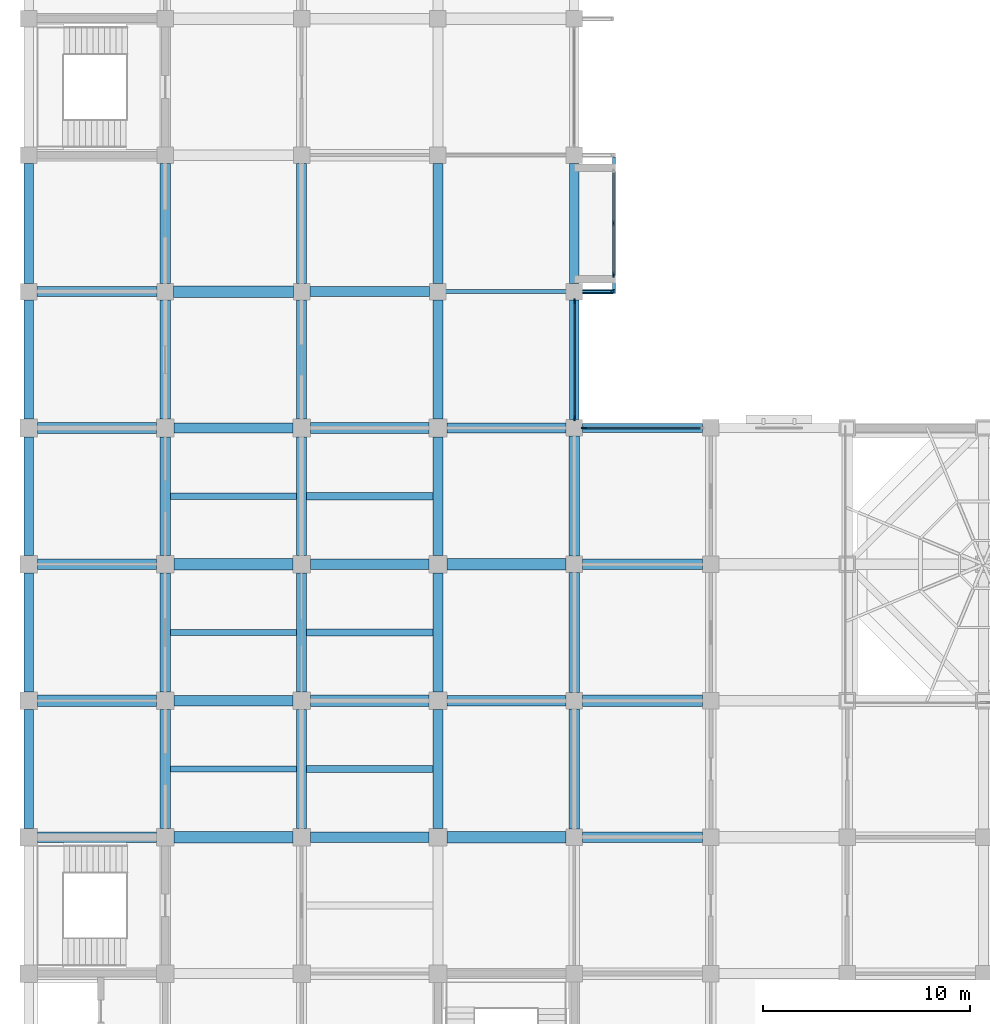
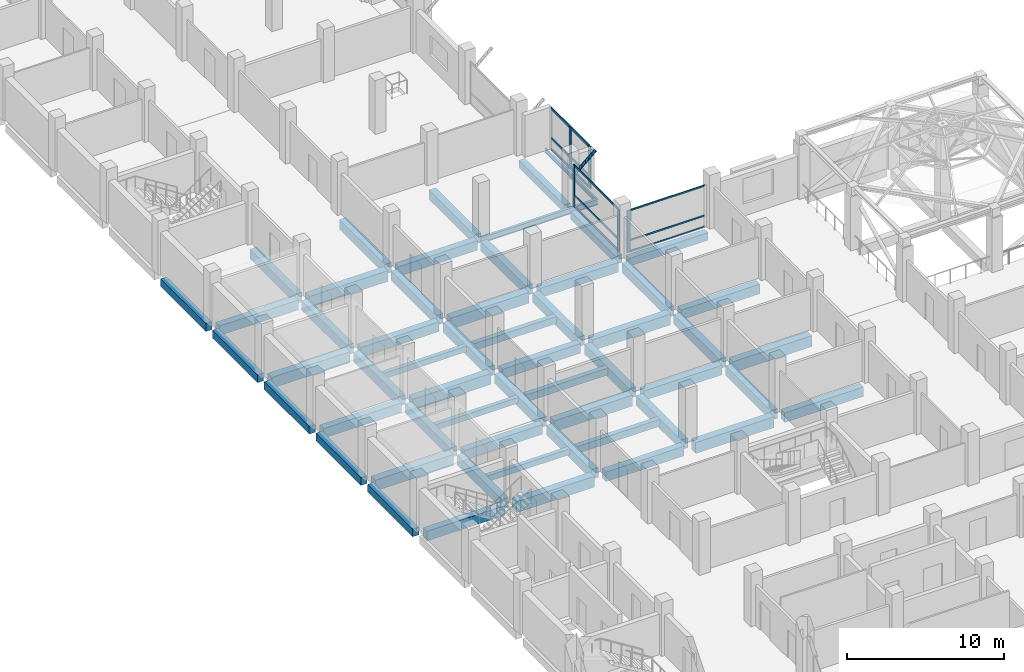
# One storey, part 5 of 25: 56 beams, 18 members, 3 elements without a shape of their own.
"""IFC4 building model written with IfcOpenShell, lengths in metres."""

from ifc_helpers import new_model, si_unit, direction, frame, origin, origin_2d, place, context, subcontext, project, spatial, rectangle, hollow_circle, i_section, extrude, material, material_profile, profile_set, type_object, element, aggregate, save


model = new_model("IFC4")

# Units and contexts
model_context = context("Model", 3, precision=1e-05, world=origin(), true_north=direction((0.0, 1.0)))
body_context = subcontext(model_context, "Body", "Model", "MODEL_VIEW")
ifc_project = project(units=[si_unit("LENGTHUNIT", "METRE"), si_unit("AREAUNIT", "SQUARE_METRE"), si_unit("VOLUMEUNIT", "CUBIC_METRE"), si_unit("PLANEANGLEUNIT", "RADIAN"), si_unit("MASSUNIT", "GRAM", prefix="KILO")], contexts=[model_context])

# Site, building, storey
site_placement = place(None, origin())
site = spatial("IfcSite", under=ifc_project, at=site_placement, CompositionType="ELEMENT")
building_placement = place(site_placement, origin())
building = spatial("IfcBuilding", under=site, at=building_placement, Name="Rusizi Kubbe Research Institute", CompositionType="ELEMENT")
storey_placement = place(building_placement, frame((0.0, 0.0, 14.39990234375)))
storey = spatial("IfcBuildingStorey", under=building, at=storey_placement, Name="L03", CompositionType="ELEMENT", Elevation=14.39990234375)

# Beams
ifc_material_1 = material(Name="Steel S355", Category="steel")
ifc_material_profile_1 = material_profile(ifc_material_1, i_section(OverallWidth=0.14990234375, OverallDepth=0.300048828125, WebThickness=0.007080078125, FlangeThickness=0.0107421875, at=origin_2d()), Name="IPE 300")
ifc_profile_set_1 = profile_set([ifc_material_profile_1], Name="Steel S355")
beam_type_1 = type_object("IfcBeamType", Name="BM-IPE300", PredefinedType="BEAM", material=ifc_profile_set_1)
beam_1_placement = place(storey_placement, frame((28.324951171875, 59.4951171875, -0.5), z_axis=(0.0, 1.0, 0.0), x_axis=(-1.0, 0.0, 0.0)))
element("IfcBeam", 1, at=beam_1_placement, inside=storey, type_object=beam_type_1, Name="Cumba Edge Tie Beam L03-1", PredefinedType="BEAM", context=body_context, shape_type="SweptSolid", body=[
    extrude(i_section(OverallWidth=0.14990234375, OverallDepth=0.300048828125, WebThickness=0.007080078125, FlangeThickness=0.0107421875, at=origin_2d()), origin(), (0.0, 0.0, 1.0), 6.409912109375),
])
ifc_material_2 = material(Name="Steel S355", Category="steel")
ifc_material_profile_2 = material_profile(ifc_material_2, i_section(OverallWidth=0.18994140625, OverallDepth=0.449951171875, WebThickness=0.009521484375, FlangeThickness=0.0146484375, at=origin_2d()), Name="IPE 450")
ifc_profile_set_2 = profile_set([ifc_material_profile_2], Name="Steel S355")
beam_type_2 = type_object("IfcBeamType", Name="BM-IPE450", PredefinedType="BEAM", material=ifc_profile_set_2)
beam_2_placement = place(storey_placement, frame((19.800048828125, 59.39990234375, -0.574951171875), z_axis=(1.0, 0.0, 0.0), x_axis=(0.0, 1.0, 0.0)))
element("IfcBeam", 2, at=beam_2_placement, inside=storey, type_object=beam_type_2, Name="Cumba Back-Spanned Cantilever Beam L03-1S", PredefinedType="BEAM", context=body_context, shape_type="SweptSolid", body=[
    extrude(i_section(OverallWidth=0.18994140625, OverallDepth=0.449951171875, WebThickness=0.009521484375, FlangeThickness=0.0146484375, at=origin_2d()), origin(), (0.0, 0.0, 1.0), 8.599853515625),
])
ifc_material_3 = material(Name="Concrete C40/50", Category="concrete")
ifc_material_profile_3 = material_profile(ifc_material_3, rectangle(XDim=0.300048828125, YDim=0.449951171875, at=origin_2d()), Name="RC300x450")
ifc_profile_set_3 = profile_set([ifc_material_profile_3], Name="Concrete C40/50")
beam_type_3 = type_object("IfcBeamType", Name="BM-RC300x450", PredefinedType="LINTEL", material=ifc_profile_set_3)
for number, where, z_axis, x_axis, name in (
    (3, (6.85009765625, 36.300048828125, -0.574951171875), (1.0, 0.0, 0.0), (0.0, 1.0, 0.0), "Corridor Portal Lintel Beam L03-05"),
    (4, (6.85009765625, 42.89990234375, -0.574951171875), (1.0, 0.0, 0.0), (0.0, 1.0, 0.0), "Corridor Portal Lintel Beam L03-06"),
    (5, (6.85009765625, 49.5, -0.574951171875), (1.0, 0.0, 0.0), (0.0, 1.0, 0.0), "Corridor Portal Lintel Beam L03-07"),
):
    element("IfcBeam", number, at=place(storey_placement, frame(where, z_axis=z_axis, x_axis=x_axis)), inside=storey, type_object=beam_type_3, Name=name, PredefinedType="LINTEL", context=body_context, shape_type="SweptSolid", body=[
        extrude(rectangle(XDim=0.300048828125, YDim=0.449951171875, at=origin_2d()), origin(), (0.0, 0.0, 1.0), 6.099853515625),
    ])
ifc_material_4 = material(Name="Concrete C40/50", Category="concrete")
ifc_material_profile_4 = material_profile(ifc_material_4, rectangle(XDim=0.35009765625, YDim=0.550048828125, at=origin_2d()), Name="RC350x550")
ifc_profile_set_4 = profile_set([ifc_material_profile_4], Name="Concrete C40/50")
beam_type_4 = type_object("IfcBeamType", Name="BM-RC350x550", PredefinedType="JOIST", material=ifc_profile_set_4)
for number, where, z_axis, x_axis, name in (
    (6, (13.449951171875, 36.300048828125, -0.625), (1.0, 0.0, 0.0), (0.0, 1.0, 0.0), "Lab Stiffener Joist L03 (2,5)"),
    (7, (13.449951171875, 42.89990234375, -0.625), (1.0, 0.0, 0.0), (0.0, 1.0, 0.0), "Lab Stiffener Joist L03 (2,6)"),
    (8, (13.449951171875, 49.5, -0.625), (1.0, 0.0, 0.0), (0.0, 1.0, 0.0), "Lab Stiffener Joist L03 (2,7)"),
):
    element("IfcBeam", number, at=place(storey_placement, frame(where, z_axis=z_axis, x_axis=x_axis)), inside=storey, type_object=beam_type_4, Name=name, PredefinedType="JOIST", context=body_context, shape_type="SweptSolid", body=[
        extrude(rectangle(XDim=0.35009765625, YDim=0.550048828125, at=origin_2d()), origin(), (0.0, 0.0, 1.0), 6.10009765625),
    ])
ifc_material_5 = material(Name="Concrete C40/50", Category="concrete")
ifc_material_profile_5 = material_profile(ifc_material_5, rectangle(XDim=0.449951171875, YDim=0.60009765625, at=origin_2d()), Name="RC450x600")
ifc_profile_set_5 = profile_set([ifc_material_profile_5], Name="Concrete C40/50")
beam_type_5 = type_object("IfcBeamType", Name="BM-RC450x600", PredefinedType="SPANDREL", material=ifc_profile_set_5)
beam_3_placement = place(storey_placement, frame((26.800048828125, 52.800048828125, -0.64990234375), z_axis=(1.0, 0.0, 0.0), x_axis=(0.0, 1.0, 0.0)))
element("IfcBeam", 9, at=beam_3_placement, inside=storey, type_object=beam_type_5, Name="Grid Beam H L03 (4,8)", PredefinedType="SPANDREL", context=body_context, shape_type="SweptSolid", body=[
    extrude(rectangle(XDim=0.449951171875, YDim=0.60009765625, at=origin_2d()), origin(), (0.0, 0.0, 1.0), 5.800048828125),
])
for number, where, z_axis, x_axis, name in (
    (10, (0.0, 33.425048828125, -0.64990234375), (0.0, 1.0, 0.0), (-1.0, 0.0, 0.0), "Grid Beam V L03 (0,5)"),
    (11, (0.0, 40.02490234375, -0.64990234375), (0.0, 1.0, 0.0), (-1.0, 0.0, 0.0), "Grid Beam V L03 (0,6)"),
    (12, (0.0, 46.625, -0.64990234375), (0.0, 1.0, 0.0), (-1.0, 0.0, 0.0), "Grid Beam V L03 (0,7)"),
):
    element("IfcBeam", number, at=place(storey_placement, frame(where, z_axis=z_axis, x_axis=x_axis)), inside=storey, type_object=beam_type_5, Name=name, PredefinedType="SPANDREL", context=body_context, shape_type="SweptSolid", body=[
        extrude(rectangle(XDim=0.449951171875, YDim=0.60009765625, at=origin_2d()), origin(), (0.0, 0.0, 1.0), 5.75),
    ])
beam_4_placement = place(storey_placement, frame((0.0, 53.22509765625, -0.64990234375), z_axis=(0.0, 1.0, 0.0), x_axis=(-1.0, 0.0, 0.0)))
element("IfcBeam", 13, at=beam_4_placement, inside=storey, type_object=beam_type_5, Name="Grid Beam V L03 (0,8)", PredefinedType="SPANDREL", context=body_context, shape_type="SweptSolid", body=[
    extrude(rectangle(XDim=0.449951171875, YDim=0.60009765625, at=origin_2d()), origin(), (0.0, 0.0, 1.0), 5.77490234375),
])
for number, where, z_axis, x_axis, name in (
    (14, (0.0, 59.800048828125, -0.64990234375), (0.0, 1.0, 0.0), (-1.0, 0.0, 0.0), "Grid Beam V L03 (0,9)"),
    (15, (26.39990234375, 53.199951171875, -0.64990234375), (0.0, 1.0, 0.0), (-1.0, 0.0, 0.0), "Grid Beam V L03 (4,8)"),
    (16, (26.39990234375, 59.800048828125, -0.64990234375), (0.0, 1.0, 0.0), (-1.0, 0.0, 0.0), "Grid Beam V L03 (4,9)"),
):
    element("IfcBeam", number, at=place(storey_placement, frame(where, z_axis=z_axis, x_axis=x_axis)), inside=storey, type_object=beam_type_5, Name=name, PredefinedType="SPANDREL", context=body_context, shape_type="SweptSolid", body=[
        extrude(rectangle(XDim=0.449951171875, YDim=0.60009765625, at=origin_2d()), origin(), (0.0, 0.0, 1.0), 5.800048828125),
    ])
ifc_material_6 = material(Name="Concrete C45/55", Category="concrete")
ifc_material_profile_6 = material_profile(ifc_material_6, rectangle(XDim=0.5, YDim=0.75, at=origin_2d()), Name="RC500x750B")
ifc_profile_set_6 = profile_set([ifc_material_profile_6], Name="Concrete C45/55")
beam_type_6 = type_object("IfcBeamType", Name="BM-RC500x750", PredefinedType="BEAM", material=ifc_profile_set_6)
for number, where, z_axis, x_axis, name in (
    (17, (0.425048828125, 33.0, -0.724853515625), (1.0, 0.0, 0.0), (0.0, 1.0, 0.0), "Grid Beam H L03 (0,5)"),
    (18, (0.425048828125, 46.199951171875, -0.724853515625), (1.0, 0.0, 0.0), (0.0, 1.0, 0.0), "Grid Beam H L03 (0,7)"),
):
    element("IfcBeam", number, at=place(storey_placement, frame(where, z_axis=z_axis, x_axis=x_axis)), inside=storey, type_object=beam_type_6, Name=name, PredefinedType="BEAM", context=body_context, shape_type="SweptSolid", body=[
        extrude(rectangle(XDim=0.5, YDim=0.75, at=origin_2d()), origin(), (0.0, 0.0, 1.0), 5.75),
    ])
beam_5_placement = place(storey_placement, frame((0.39990234375, 59.39990234375, -0.724853515625), z_axis=(1.0, 0.0, 0.0), x_axis=(0.0, 1.0, 0.0)))
element("IfcBeam", 19, at=beam_5_placement, inside=storey, type_object=beam_type_6, Name="Grid Beam H L03 (0,9)", PredefinedType="BEAM", context=body_context, shape_type="SweptSolid", body=[
    extrude(rectangle(XDim=0.5, YDim=0.75, at=origin_2d()), origin(), (0.0, 0.0, 1.0), 5.800048828125),
])
for number, where, z_axis, x_axis, name in (
    (20, (7.02490234375, 39.60009765625, -0.724853515625), (1.0, 0.0, 0.0), (0.0, 1.0, 0.0), "Grid Beam H L03 (1,6)"),
    (21, (7.02490234375, 52.800048828125, -0.724853515625), (1.0, 0.0, 0.0), (0.0, 1.0, 0.0), "Grid Beam H L03 (1,8)"),
    (22, (13.625, 33.0, -0.724853515625), (1.0, 0.0, 0.0), (0.0, 1.0, 0.0), "Grid Beam H L03 (2,5)"),
    (23, (13.625, 46.199951171875, -0.724853515625), (1.0, 0.0, 0.0), (0.0, 1.0, 0.0), "Grid Beam H L03 (2,7)"),
):
    element("IfcBeam", number, at=place(storey_placement, frame(where, z_axis=z_axis, x_axis=x_axis)), inside=storey, type_object=beam_type_6, Name=name, PredefinedType="BEAM", context=body_context, shape_type="SweptSolid", body=[
        extrude(rectangle(XDim=0.5, YDim=0.75, at=origin_2d()), origin(), (0.0, 0.0, 1.0), 5.75),
    ])
beam_6_placement = place(storey_placement, frame((13.60009765625, 59.39990234375, -0.724853515625), z_axis=(1.0, 0.0, 0.0), x_axis=(0.0, 1.0, 0.0)))
element("IfcBeam", 24, at=beam_6_placement, inside=storey, type_object=beam_type_6, Name="Grid Beam H L03 (2,9)", PredefinedType="BEAM", context=body_context, shape_type="SweptSolid", body=[
    extrude(rectangle(XDim=0.5, YDim=0.75, at=origin_2d()), origin(), (0.0, 0.0, 1.0), 5.7998046875),
])
for number, where, z_axis, x_axis, name in (
    (25, (20.22509765625, 39.60009765625, -0.724853515625), (1.0, 0.0, 0.0), (0.0, 1.0, 0.0), "Grid Beam H L03 (3,6)"),
    (26, (20.22509765625, 52.800048828125, -0.724853515625), (1.0, 0.0, 0.0), (0.0, 1.0, 0.0), "Grid Beam H L03 (3,8)"),
):
    element("IfcBeam", number, at=place(storey_placement, frame(where, z_axis=z_axis, x_axis=x_axis)), inside=storey, type_object=beam_type_6, Name=name, PredefinedType="BEAM", context=body_context, shape_type="SweptSolid", body=[
        extrude(rectangle(XDim=0.5, YDim=0.75, at=origin_2d()), origin(), (0.0, 0.0, 1.0), 5.77490234375),
    ])
for number, where, z_axis, x_axis, name in (
    (27, (26.800048828125, 33.0, -0.724853515625), (1.0, 0.0, 0.0), (0.0, 1.0, 0.0), "Grid Beam H L03 (4,5)"),
    (28, (26.800048828125, 46.199951171875, -0.724853515625), (1.0, 0.0, 0.0), (0.0, 1.0, 0.0), "Grid Beam H L03 (4,7)"),
):
    element("IfcBeam", number, at=place(storey_placement, frame(where, z_axis=z_axis, x_axis=x_axis)), inside=storey, type_object=beam_type_6, Name=name, PredefinedType="BEAM", context=body_context, shape_type="SweptSolid", body=[
        extrude(rectangle(XDim=0.5, YDim=0.75, at=origin_2d()), origin(), (0.0, 0.0, 1.0), 5.800048828125),
    ])
for number, where, z_axis, x_axis, name in (
    (29, (6.60009765625, 33.425048828125, -0.724853515625), (0.0, 1.0, 0.0), (-1.0, 0.0, 0.0), "Grid Beam V L03 (1,5)"),
    (30, (6.60009765625, 40.02490234375, -0.724853515625), (0.0, 1.0, 0.0), (-1.0, 0.0, 0.0), "Grid Beam V L03 (1,6)"),
    (31, (6.60009765625, 46.625, -0.724853515625), (0.0, 1.0, 0.0), (-1.0, 0.0, 0.0), "Grid Beam V L03 (1,7)"),
):
    element("IfcBeam", number, at=place(storey_placement, frame(where, z_axis=z_axis, x_axis=x_axis)), inside=storey, type_object=beam_type_6, Name=name, PredefinedType="BEAM", context=body_context, shape_type="SweptSolid", body=[
        extrude(rectangle(XDim=0.5, YDim=0.75, at=origin_2d()), origin(), (0.0, 0.0, 1.0), 5.75),
    ])
beam_7_placement = place(storey_placement, frame((6.60009765625, 53.22509765625, -0.724853515625), z_axis=(0.0, 1.0, 0.0), x_axis=(-1.0, 0.0, 0.0)))
element("IfcBeam", 32, at=beam_7_placement, inside=storey, type_object=beam_type_6, Name="Grid Beam V L03 (1,8)", PredefinedType="BEAM", context=body_context, shape_type="SweptSolid", body=[
    extrude(rectangle(XDim=0.5, YDim=0.75, at=origin_2d()), origin(), (0.0, 0.0, 1.0), 5.77490234375),
])
beam_8_placement = place(storey_placement, frame((6.60009765625, 59.800048828125, -0.724853515625), z_axis=(0.0, 1.0, 0.0), x_axis=(-1.0, 0.0, 0.0)))
element("IfcBeam", 33, at=beam_8_placement, inside=storey, type_object=beam_type_6, Name="Grid Beam V L03 (1,9)", PredefinedType="BEAM", context=body_context, shape_type="SweptSolid", body=[
    extrude(rectangle(XDim=0.5, YDim=0.75, at=origin_2d()), origin(), (0.0, 0.0, 1.0), 5.800048828125),
])
for number, where, z_axis, x_axis, name in (
    (34, (13.199951171875, 33.425048828125, -0.724853515625), (0.0, 1.0, 0.0), (-1.0, 0.0, 0.0), "Grid Beam V L03 (2,5)"),
    (35, (13.199951171875, 40.02490234375, -0.724853515625), (0.0, 1.0, 0.0), (-1.0, 0.0, 0.0), "Grid Beam V L03 (2,6)"),
    (36, (13.199951171875, 46.625, -0.724853515625), (0.0, 1.0, 0.0), (-1.0, 0.0, 0.0), "Grid Beam V L03 (2,7)"),
):
    element("IfcBeam", number, at=place(storey_placement, frame(where, z_axis=z_axis, x_axis=x_axis)), inside=storey, type_object=beam_type_6, Name=name, PredefinedType="BEAM", context=body_context, shape_type="SweptSolid", body=[
        extrude(rectangle(XDim=0.5, YDim=0.75, at=origin_2d()), origin(), (0.0, 0.0, 1.0), 5.75),
    ])
beam_9_placement = place(storey_placement, frame((13.199951171875, 53.22509765625, -0.724853515625), z_axis=(0.0, 1.0, 0.0), x_axis=(-1.0, 0.0, 0.0)))
element("IfcBeam", 37, at=beam_9_placement, inside=storey, type_object=beam_type_6, Name="Grid Beam V L03 (2,8)", PredefinedType="BEAM", context=body_context, shape_type="SweptSolid", body=[
    extrude(rectangle(XDim=0.5, YDim=0.75, at=origin_2d()), origin(), (0.0, 0.0, 1.0), 5.77490234375),
])
beam_10_placement = place(storey_placement, frame((13.199951171875, 59.800048828125, -0.724853515625), z_axis=(0.0, 1.0, 0.0), x_axis=(-1.0, 0.0, 0.0)))
element("IfcBeam", 38, at=beam_10_placement, inside=storey, type_object=beam_type_6, Name="Grid Beam V L03 (2,9)", PredefinedType="BEAM", context=body_context, shape_type="SweptSolid", body=[
    extrude(rectangle(XDim=0.5, YDim=0.75, at=origin_2d()), origin(), (0.0, 0.0, 1.0), 5.800048828125),
])
for number, where, z_axis, x_axis, name in (
    (39, (19.800048828125, 33.425048828125, -0.724853515625), (0.0, 1.0, 0.0), (-1.0, 0.0, 0.0), "Grid Beam V L03 (3,5)"),
    (40, (19.800048828125, 40.02490234375, -0.724853515625), (0.0, 1.0, 0.0), (-1.0, 0.0, 0.0), "Grid Beam V L03 (3,6)"),
    (41, (19.800048828125, 46.625, -0.724853515625), (0.0, 1.0, 0.0), (-1.0, 0.0, 0.0), "Grid Beam V L03 (3,7)"),
):
    element("IfcBeam", number, at=place(storey_placement, frame(where, z_axis=z_axis, x_axis=x_axis)), inside=storey, type_object=beam_type_6, Name=name, PredefinedType="BEAM", context=body_context, shape_type="SweptSolid", body=[
        extrude(rectangle(XDim=0.5, YDim=0.75, at=origin_2d()), origin(), (0.0, 0.0, 1.0), 5.75),
    ])
beam_11_placement = place(storey_placement, frame((19.800048828125, 53.22509765625, -0.724853515625), z_axis=(0.0, 1.0, 0.0), x_axis=(-1.0, 0.0, 0.0)))
element("IfcBeam", 42, at=beam_11_placement, inside=storey, type_object=beam_type_6, Name="Grid Beam V L03 (3,8)", PredefinedType="BEAM", context=body_context, shape_type="SweptSolid", body=[
    extrude(rectangle(XDim=0.5, YDim=0.75, at=origin_2d()), origin(), (0.0, 0.0, 1.0), 5.77490234375),
])
for number, where, z_axis, x_axis, name in (
    (43, (19.800048828125, 59.800048828125, -0.724853515625), (0.0, 1.0, 0.0), (-1.0, 0.0, 0.0), "Grid Beam V L03 (3,9)"),
    (44, (26.39990234375, 33.39990234375, -0.724853515625), (0.0, 1.0, 0.0), (-1.0, 0.0, 0.0), "Grid Beam V L03 (4,5)"),
    (45, (26.39990234375, 40.0, -0.724853515625), (0.0, 1.0, 0.0), (-1.0, 0.0, 0.0), "Grid Beam V L03 (4,6)"),
):
    element("IfcBeam", number, at=place(storey_placement, frame(where, z_axis=z_axis, x_axis=x_axis)), inside=storey, type_object=beam_type_6, Name=name, PredefinedType="BEAM", context=body_context, shape_type="SweptSolid", body=[
        extrude(rectangle(XDim=0.5, YDim=0.75, at=origin_2d()), origin(), (0.0, 0.0, 1.0), 5.800048828125),
    ])
beam_12_placement = place(storey_placement, frame((26.39990234375, 46.60009765625, -0.724853515625), z_axis=(0.0, 1.0, 0.0), x_axis=(-1.0, 0.0, 0.0)))
element("IfcBeam", 46, at=beam_12_placement, inside=storey, type_object=beam_type_6, Name="Grid Beam V L03 (4,7)", PredefinedType="BEAM", context=body_context, shape_type="SweptSolid", body=[
    extrude(rectangle(XDim=0.5, YDim=0.75, at=origin_2d()), origin(), (0.0, 0.0, 1.0), 5.7998046875),
])
ifc_material_7 = material(Name="Concrete C45/55", Category="concrete")
ifc_material_profile_7 = material_profile(ifc_material_7, rectangle(XDim=0.550048828125, YDim=0.85009765625, at=origin_2d()), Name="RC550x850")
ifc_profile_set_7 = profile_set([ifc_material_profile_7], Name="Concrete C45/55")
beam_type_7 = type_object("IfcBeamType", Name="BM-RC550x850", PredefinedType="BEAM", material=ifc_profile_set_7)
for number, where, z_axis, x_axis, name in (
    (47, (0.425048828125, 39.60009765625, -0.77490234375), (1.0, 0.0, 0.0), (0.0, 1.0, 0.0), "Grid Beam H L03 (0,6)"),
    (48, (0.425048828125, 52.800048828125, -0.77490234375), (1.0, 0.0, 0.0), (0.0, 1.0, 0.0), "Grid Beam H L03 (0,8)"),
    (49, (7.02490234375, 33.0, -0.77490234375), (1.0, 0.0, 0.0), (0.0, 1.0, 0.0), "Grid Beam H L03 (1,5)"),
    (50, (7.02490234375, 46.199951171875, -0.77490234375), (1.0, 0.0, 0.0), (0.0, 1.0, 0.0), "Grid Beam H L03 (1,7)"),
):
    element("IfcBeam", number, at=place(storey_placement, frame(where, z_axis=z_axis, x_axis=x_axis)), inside=storey, type_object=beam_type_7, Name=name, PredefinedType="BEAM", context=body_context, shape_type="SweptSolid", body=[
        extrude(rectangle(XDim=0.550048828125, YDim=0.85009765625, at=origin_2d()), origin(), (0.0, 0.0, 1.0), 5.75),
    ])
beam_13_placement = place(storey_placement, frame((7.0, 59.39990234375, -0.77490234375), z_axis=(1.0, 0.0, 0.0), x_axis=(0.0, 1.0, 0.0)))
element("IfcBeam", 51, at=beam_13_placement, inside=storey, type_object=beam_type_7, Name="Grid Beam H L03 (1,9)", PredefinedType="BEAM", context=body_context, shape_type="SweptSolid", body=[
    extrude(rectangle(XDim=0.550048828125, YDim=0.85009765625, at=origin_2d()), origin(), (0.0, 0.0, 1.0), 5.800048828125),
])
for number, where, z_axis, x_axis, name in (
    (52, (13.625, 39.60009765625, -0.77490234375), (1.0, 0.0, 0.0), (0.0, 1.0, 0.0), "Grid Beam H L03 (2,6)"),
    (53, (13.625, 52.800048828125, -0.77490234375), (1.0, 0.0, 0.0), (0.0, 1.0, 0.0), "Grid Beam H L03 (2,8)"),
):
    element("IfcBeam", number, at=place(storey_placement, frame(where, z_axis=z_axis, x_axis=x_axis)), inside=storey, type_object=beam_type_7, Name=name, PredefinedType="BEAM", context=body_context, shape_type="SweptSolid", body=[
        extrude(rectangle(XDim=0.550048828125, YDim=0.85009765625, at=origin_2d()), origin(), (0.0, 0.0, 1.0), 5.75),
    ])
for number, where, z_axis, x_axis, name in (
    (54, (20.22509765625, 33.0, -0.77490234375), (1.0, 0.0, 0.0), (0.0, 1.0, 0.0), "Grid Beam H L03 (3,5)"),
    (55, (20.22509765625, 46.199951171875, -0.77490234375), (1.0, 0.0, 0.0), (0.0, 1.0, 0.0), "Grid Beam H L03 (3,7)"),
):
    element("IfcBeam", number, at=place(storey_placement, frame(where, z_axis=z_axis, x_axis=x_axis)), inside=storey, type_object=beam_type_7, Name=name, PredefinedType="BEAM", context=body_context, shape_type="SweptSolid", body=[
        extrude(rectangle(XDim=0.550048828125, YDim=0.85009765625, at=origin_2d()), origin(), (0.0, 0.0, 1.0), 5.77490234375),
    ])
beam_14_placement = place(storey_placement, frame((26.800048828125, 39.60009765625, -0.77490234375), z_axis=(1.0, 0.0, 0.0), x_axis=(0.0, 1.0, 0.0)))
element("IfcBeam", 56, at=beam_14_placement, inside=storey, type_object=beam_type_7, Name="Grid Beam H L03 (4,6)", PredefinedType="BEAM", context=body_context, shape_type="SweptSolid", body=[
    extrude(rectangle(XDim=0.550048828125, YDim=0.85009765625, at=origin_2d()), origin(), (0.0, 0.0, 1.0), 5.800048828125),
])

# Member
ifc_material_8 = material(Name="Steel S355", Category="steel")
ifc_material_profile_8 = material_profile(ifc_material_8, hollow_circle(Radius=0.109619140625, WallThickness=0.008056640625, at=origin_2d()), Name="CHS 219.1x8.0")
ifc_profile_set_8 = profile_set([ifc_material_profile_8], Name="Steel S355")
member_type_1 = type_object("IfcMemberType", Name="MB-CHS219", PredefinedType="BRACE", material=ifc_profile_set_8)
member_1_placement = place(storey_placement, frame((26.39990234375, 59.39990234375, 1.860107421875), z_axis=(0.756360503059, 0.0, 0.654155019405), x_axis=(0.0, 1.0, 0.0)))
element("IfcMember", 57, at=member_1_placement, inside=storey, type_object=member_type_1, Name="Cumba Diagonal Corbel Brace L04-1S", PredefinedType="BRACE", context=body_context, shape_type="SweptSolid", body=[
    extrude(hollow_circle(Radius=0.109619140625, WallThickness=0.008056640625, at=origin_2d()), origin(), (0.0, 0.0, 1.0), 2.446044921875),
])

# Curtain wall, members
ifc_material_9 = material(Name="Thermally Broken Aluminium and Low-E Glazing", Category="aluminium")
curtain_wall_type_1 = type_object("IfcCurtainWallType", Name="CW-06", PredefinedType="NOTDEFINED", material=ifc_material_9)
curtain_wall_1_placement = place(storey_placement, origin())
curtain_wall_1 = element("IfcCurtainWall", 58, at=curtain_wall_1_placement, inside=storey, type_object=curtain_wall_type_1, Name="Unitised Facade Curtain Wall CW-L03-V-04-08", PredefinedType="NOTDEFINED")
ifc_material_10 = material(Name="Aluminium Alloy 6063-T6", Category="aluminium")
ifc_material_profile_9 = material_profile(ifc_material_10, rectangle(XDim=0.074951171875, YDim=0.25, at=origin_2d()), Name="ALU-M 75x250")
ifc_profile_set_9 = profile_set([ifc_material_profile_9], Name="Aluminium Alloy 6063-T6")
member_type_2 = type_object("IfcMemberType", Name="ML-05", PredefinedType="MULLION", material=ifc_profile_set_9)
member_2_placement = place(storey_placement, frame((26.39990234375, 53.267578125, 0.0), z_axis=(0.0, 0.0, 1.0), x_axis=(-1.0, 0.0, 0.0)))
member_2 = element("IfcMember", 59, at=member_2_placement, type_object=member_type_2, Name="CW-06 mullion 1", PredefinedType="MULLION", context=body_context, shape_type="SweptSolid", body=[
    extrude(rectangle(XDim=0.074951171875, YDim=0.25, at=origin_2d()), origin(), (0.0, 0.0, 1.0), 3.260009765625),
])
member_3_placement = place(storey_placement, frame((26.39990234375, 58.9326171875, 0.0), z_axis=(0.0, 0.0, 1.0), x_axis=(-1.0, 0.0, 0.0)))
member_3 = element("IfcMember", 60, at=member_3_placement, type_object=member_type_2, Name="CW-06 mullion 2", PredefinedType="MULLION", context=body_context, shape_type="SweptSolid", body=[
    extrude(rectangle(XDim=0.074951171875, YDim=0.25, at=origin_2d()), origin(), (0.0, 0.0, 1.0), 3.260009765625),
])

# Curtain wall, member
curtain_wall_2_placement = place(storey_placement, origin())
curtain_wall_2 = element("IfcCurtainWall", 61, at=curtain_wall_2_placement, inside=storey, type_object=curtain_wall_type_1, Name="Unitised Facade Curtain Wall CW-L03-H-04-08", PredefinedType="NOTDEFINED")
member_4_placement = place(storey_placement, frame((26.867431640625, 52.800048828125, 0.0), z_axis=(0.0, 0.0, 1.0), x_axis=(0.0, 1.0, 0.0)))
member_4 = element("IfcMember", 62, at=member_4_placement, type_object=member_type_2, Name="CW-06 mullion 1", PredefinedType="MULLION", context=body_context, shape_type="SweptSolid", body=[
    extrude(rectangle(XDim=0.074951171875, YDim=0.25, at=origin_2d()), origin(), (0.0, 0.0, 1.0), 3.260009765625),
])

# Curtain wall, members
ifc_material_11 = material(Name="Thermally Broken Aluminium and Low-E Glazing", Category="aluminium")
curtain_wall_type_2 = type_object("IfcCurtainWallType", Name="CW-01", PredefinedType="NOTDEFINED", material=ifc_material_11)
curtain_wall_3_placement = place(storey_placement, origin())
curtain_wall_3 = element("IfcCurtainWall", 63, at=curtain_wall_3_placement, inside=storey, type_object=curtain_wall_type_2, Name="Cumba Glazed Curtain Wall CW-CUMBA-L03-035", PredefinedType="NOTDEFINED")
ifc_material_12 = material(Name="Aluminium Alloy 6063-T6", Category="aluminium")
ifc_material_profile_10 = material_profile(ifc_material_12, rectangle(XDim=0.080078125, YDim=0.280029296875, at=origin_2d()), Name="ALU-M 80x280")
ifc_profile_set_10 = profile_set([ifc_material_profile_10], Name="Aluminium Alloy 6063-T6")
member_type_3 = type_object("IfcMemberType", Name="ML-06", PredefinedType="MULLION", material=ifc_profile_set_10)
member_5_placement = place(storey_placement, frame((28.300048828125, 60.222412109375, 0.0), z_axis=(0.0, 0.0, 1.0), x_axis=(-1.0, 0.0, 0.0)))
member_5 = element("IfcMember", 64, at=member_5_placement, type_object=member_type_3, Name="CW-01 mullion 1", PredefinedType="MULLION", context=body_context, shape_type="SweptSolid", body=[
    extrude(rectangle(XDim=0.080078125, YDim=0.280029296875, at=origin_2d()), origin(), (0.0, 0.0, 1.0), 3.260009765625),
])
member_6_placement = place(storey_placement, frame((28.300048828125, 62.699951171875, 0.0), z_axis=(0.0, 0.0, 1.0), x_axis=(-1.0, 0.0, 0.0)))
member_6 = element("IfcMember", 65, at=member_6_placement, type_object=member_type_3, Name="CW-01 mullion 2", PredefinedType="MULLION", context=body_context, shape_type="SweptSolid", body=[
    extrude(rectangle(XDim=0.080078125, YDim=0.280029296875, at=origin_2d()), origin(), (0.0, 0.0, 1.0), 3.260009765625),
])

# Member
ifc_material_13 = material(Name="Aluminium Alloy 6063-T6", Category="aluminium")
ifc_material_profile_11 = material_profile(ifc_material_13, rectangle(XDim=0.06005859375, YDim=0.1201171875, at=origin_2d()), Name="ALU-T 60x120")
ifc_profile_set_11 = profile_set([ifc_material_profile_11], Name="Aluminium Alloy 6063-T6")
member_type_4 = type_object("IfcMemberType", Name="TR-01", PredefinedType="USERDEFINED", material=ifc_profile_set_11)
member_7_placement = place(storey_placement, frame((26.905029296875, 52.800048828125, 0.030029296875), z_axis=(1.0, 0.0, 0.0), x_axis=(0.0, 1.0, 0.0)))
member_7 = element("IfcMember", 66, at=member_7_placement, type_object=member_type_4, Name="CW-06 transom 1.1", ObjectType="TRANSOM", PredefinedType="USERDEFINED", context=body_context, shape_type="SweptSolid", body=[
    extrude(rectangle(XDim=0.06005859375, YDim=0.1201171875, at=origin_2d()), origin(), (0.0, 0.0, 1.0), 5.590087890625),
])

member_8_placement = place(storey_placement, frame((26.905029296875, 52.800048828125, 0.900146484375), z_axis=(1.0, 0.0, 0.0), x_axis=(0.0, 1.0, 0.0)))
member_8 = element("IfcMember", 67, at=member_8_placement, type_object=member_type_4, Name="CW-06 transom 1.2", ObjectType="TRANSOM", PredefinedType="USERDEFINED", context=body_context, shape_type="SweptSolid", body=[
    extrude(rectangle(XDim=0.06005859375, YDim=0.1201171875, at=origin_2d()), origin(), (0.0, 0.0, 1.0), 5.590087890625),
])

member_9_placement = place(storey_placement, frame((26.905029296875, 52.800048828125, 3.22998046875), z_axis=(1.0, 0.0, 0.0), x_axis=(0.0, 1.0, 0.0)))
member_9 = element("IfcMember", 68, at=member_9_placement, type_object=member_type_4, Name="CW-06 transom 1.3", ObjectType="TRANSOM", PredefinedType="USERDEFINED", context=body_context, shape_type="SweptSolid", body=[
    extrude(rectangle(XDim=0.06005859375, YDim=0.1201171875, at=origin_2d()), origin(), (0.0, 0.0, 1.0), 5.590087890625),
])

aggregate(curtain_wall_2, [member_4, member_7, member_8, member_9])

ifc_material_14 = material(Name="Aluminium Alloy 6063-T6", Category="aluminium")
ifc_material_profile_12 = material_profile(ifc_material_14, rectangle(XDim=0.06494140625, YDim=0.159912109375, at=origin_2d()), Name="ALU-T 65x160")
ifc_profile_set_12 = profile_set([ifc_material_profile_12], Name="Aluminium Alloy 6063-T6")
member_type_5 = type_object("IfcMemberType", Name="TR-03", PredefinedType="USERDEFINED", material=ifc_profile_set_12)
member_10_placement = place(storey_placement, frame((26.39990234375, 53.304931640625, 0.03271484375), z_axis=(0.0, 1.0, 0.0), x_axis=(-1.0, 0.0, 0.0)))
member_10 = element("IfcMember", 69, at=member_10_placement, type_object=member_type_5, Name="CW-06 transom 1.1", ObjectType="TRANSOM", PredefinedType="USERDEFINED", context=body_context, shape_type="SweptSolid", body=[
    extrude(rectangle(XDim=0.06494140625, YDim=0.159912109375, at=origin_2d()), origin(), (0.0, 0.0, 1.0), 5.590087890625),
])

member_11_placement = place(storey_placement, frame((26.39990234375, 53.304931640625, 0.900146484375), z_axis=(0.0, 1.0, 0.0), x_axis=(-1.0, 0.0, 0.0)))
member_11 = element("IfcMember", 70, at=member_11_placement, type_object=member_type_5, Name="CW-06 transom 1.2", ObjectType="TRANSOM", PredefinedType="USERDEFINED", context=body_context, shape_type="SweptSolid", body=[
    extrude(rectangle(XDim=0.06494140625, YDim=0.159912109375, at=origin_2d()), origin(), (0.0, 0.0, 1.0), 5.590087890625),
])

member_12_placement = place(storey_placement, frame((26.39990234375, 53.304931640625, 3.2275390625), z_axis=(0.0, 1.0, 0.0), x_axis=(-1.0, 0.0, 0.0)))
member_12 = element("IfcMember", 71, at=member_12_placement, type_object=member_type_5, Name="CW-06 transom 1.3", ObjectType="TRANSOM", PredefinedType="USERDEFINED", context=body_context, shape_type="SweptSolid", body=[
    extrude(rectangle(XDim=0.06494140625, YDim=0.159912109375, at=origin_2d()), origin(), (0.0, 0.0, 1.0), 5.590087890625),
])

aggregate(curtain_wall_1, [member_2, member_3, member_10, member_11, member_12])

ifc_material_15 = material(Name="Aluminium Alloy 6063-T6", Category="aluminium")
ifc_material_profile_13 = material_profile(ifc_material_15, rectangle(XDim=0.070068359375, YDim=0.18994140625, at=origin_2d()), Name="ALU-T 70x190")
ifc_profile_set_13 = profile_set([ifc_material_profile_13], Name="Aluminium Alloy 6063-T6")
member_type_6 = type_object("IfcMemberType", Name="TR-04", PredefinedType="USERDEFINED", material=ifc_profile_set_13)
member_13_placement = place(storey_placement, frame((28.300048828125, 60.262451171875, 0.03515625), z_axis=(0.0, 1.0, 0.0), x_axis=(-1.0, 0.0, 0.0)))
member_13 = element("IfcMember", 72, at=member_13_placement, type_object=member_type_6, Name="CW-01 transom 1.1", ObjectType="TRANSOM", PredefinedType="USERDEFINED", context=body_context, shape_type="SweptSolid", body=[
    extrude(rectangle(XDim=0.070068359375, YDim=0.18994140625, at=origin_2d()), origin(), (0.0, 0.0, 1.0), 2.3974609375),
])

member_14_placement = place(storey_placement, frame((28.300048828125, 60.262451171875, 0.900146484375), z_axis=(0.0, 1.0, 0.0), x_axis=(-1.0, 0.0, 0.0)))
member_14 = element("IfcMember", 73, at=member_14_placement, type_object=member_type_6, Name="CW-01 transom 1.2", ObjectType="TRANSOM", PredefinedType="USERDEFINED", context=body_context, shape_type="SweptSolid", body=[
    extrude(rectangle(XDim=0.070068359375, YDim=0.18994140625, at=origin_2d()), origin(), (0.0, 0.0, 1.0), 2.3974609375),
])

member_15_placement = place(storey_placement, frame((28.300048828125, 60.262451171875, 3.22509765625), z_axis=(0.0, 1.0, 0.0), x_axis=(-1.0, 0.0, 0.0)))
member_15 = element("IfcMember", 74, at=member_15_placement, type_object=member_type_6, Name="CW-01 transom 1.3", ObjectType="TRANSOM", PredefinedType="USERDEFINED", context=body_context, shape_type="SweptSolid", body=[
    extrude(rectangle(XDim=0.070068359375, YDim=0.18994140625, at=origin_2d()), origin(), (0.0, 0.0, 1.0), 2.3974609375),
])

member_16_placement = place(storey_placement, frame((28.300048828125, 62.739990234375, 0.03515625), z_axis=(0.0, 1.0, 0.0), x_axis=(-1.0, 0.0, 0.0)))
member_16 = element("IfcMember", 75, at=member_16_placement, type_object=member_type_6, Name="CW-01 transom 2.1", ObjectType="TRANSOM", PredefinedType="USERDEFINED", context=body_context, shape_type="SweptSolid", body=[
    extrude(rectangle(XDim=0.070068359375, YDim=0.18994140625, at=origin_2d()), origin(), (0.0, 0.0, 1.0), 2.3974609375),
])

member_17_placement = place(storey_placement, frame((28.300048828125, 62.739990234375, 0.900146484375), z_axis=(0.0, 1.0, 0.0), x_axis=(-1.0, 0.0, 0.0)))
member_17 = element("IfcMember", 76, at=member_17_placement, type_object=member_type_6, Name="CW-01 transom 2.2", ObjectType="TRANSOM", PredefinedType="USERDEFINED", context=body_context, shape_type="SweptSolid", body=[
    extrude(rectangle(XDim=0.070068359375, YDim=0.18994140625, at=origin_2d()), origin(), (0.0, 0.0, 1.0), 2.3974609375),
])

member_18_placement = place(storey_placement, frame((28.300048828125, 62.739990234375, 3.22509765625), z_axis=(0.0, 1.0, 0.0), x_axis=(-1.0, 0.0, 0.0)))
member_18 = element("IfcMember", 77, at=member_18_placement, type_object=member_type_6, Name="CW-01 transom 2.3", ObjectType="TRANSOM", PredefinedType="USERDEFINED", context=body_context, shape_type="SweptSolid", body=[
    extrude(rectangle(XDim=0.070068359375, YDim=0.18994140625, at=origin_2d()), origin(), (0.0, 0.0, 1.0), 2.3974609375),
])

aggregate(curtain_wall_3, [member_5, member_6, member_13, member_14, member_15, member_16, member_17, member_18])

save(model, "model.ifc")
